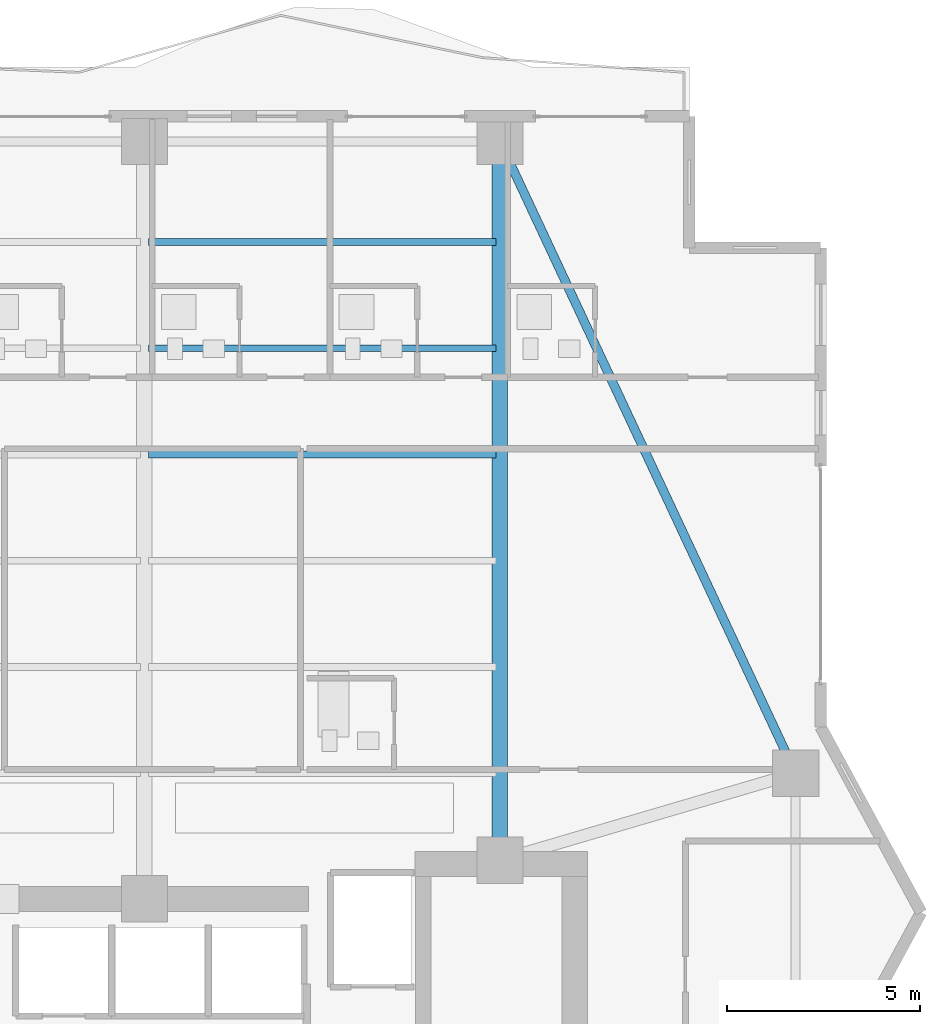
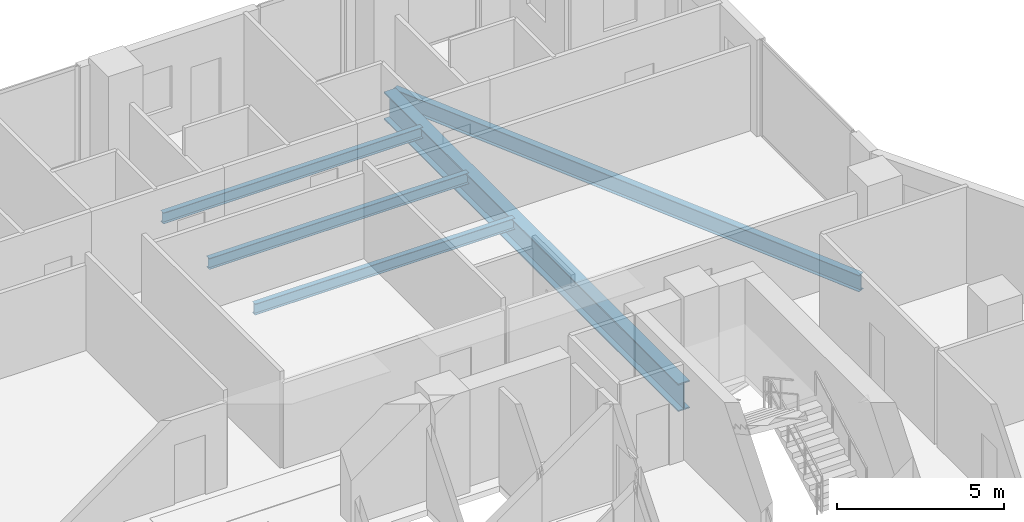
# One storey, part 20 of 33: 5 beams.
"""IFC4 building model written with IfcOpenShell, lengths in metres."""

from ifc_helpers import new_model, si_unit, direction, frame, origin, origin_2d, place, context, subcontext, project, spatial, i_section, extrude, material, material_profile, profile_set, type_object, element, save


model = new_model("IFC4")

# Units and contexts
model_context = context("Model", 3, precision=1e-05, world=origin(), true_north=direction((0.0, 1.0)))
body_context = subcontext(model_context, "Body", "Model", "MODEL_VIEW")
ifc_project = project(units=[si_unit("LENGTHUNIT", "METRE"), si_unit("AREAUNIT", "SQUARE_METRE"), si_unit("VOLUMEUNIT", "CUBIC_METRE"), si_unit("PLANEANGLEUNIT", "RADIAN"), si_unit("MASSUNIT", "GRAM", prefix="KILO")], contexts=[model_context])

# Site, building, storey
site_placement = place(None, origin())
site = spatial("IfcSite", under=ifc_project, at=site_placement, CompositionType="ELEMENT")
building_placement = place(site_placement, origin())
building = spatial("IfcBuilding", under=site, at=building_placement, Name="Zuhayl Quay Hotel", CompositionType="ELEMENT")
storey_placement = place(building_placement, frame((0.0, 0.0, 222.39990234375)))
storey = spatial("IfcBuildingStorey", under=building, at=storey_placement, Name="L56", CompositionType="ELEMENT", Elevation=222.39990234375)

# Beams
ifc_material = material(Name="Steel ASTM A992 Grade 50", Category="steel")
ifc_material_profile_1 = material_profile(ifc_material, i_section(OverallWidth=0.22802734375, OverallDepth=0.60693359375, WebThickness=0.01123046875, FlangeThickness=0.017333984375, at=origin_2d()), Name="W24X76")
ifc_profile_set_1 = profile_set([ifc_material_profile_1], Name="Steel ASTM A992 Grade 50")
beam_type_1 = type_object("IfcBeamType", Name="BM_B3_W24X76", PredefinedType="BEAM", material=ifc_profile_set_1)
beam_1_placement = place(storey_placement, frame((21.238037109375, 17.052978515625, -0.5234375), z_axis=(-0.423792164429, 0.905759461098, 0.0), x_axis=(-0.905759461098, -0.423792164429, 0.0)))
element("IfcBeam", 1, at=beam_1_placement, inside=storey, type_object=beam_type_1, Name="L56 Floor Beam RG_L56_06", PredefinedType="BEAM", context=body_context, shape_type="SweptSolid", body=[
    extrude(i_section(OverallWidth=0.22802734375, OverallDepth=0.60693359375, WebThickness=0.01123046875, FlangeThickness=0.017333984375, at=origin_2d()), origin(), (0.0, 0.0, 1.0), 17.051025390625),
])
ifc_material_profile_2 = material_profile(ifc_material, i_section(OverallWidth=0.177978515625, OverallDepth=0.406005859375, WebThickness=0.0078125, FlangeThickness=0.0126953125, at=origin_2d()), Name="W16X40")
ifc_profile_set_2 = profile_set([ifc_material_profile_2], Name="Steel ASTM A992 Grade 50")
beam_type_2 = type_object("IfcBeamType", Name="BM_J2B_W16X40", PredefinedType="JOIST", material=ifc_profile_set_2)
for number, where, z_axis, x_axis, name in (
    (2, (4.7060546875, 24.85009765625, -0.4228515625), (1.0, 0.0, 0.0), (0.0, 1.0, 0.0), "L56 Floor Beam FJ_L56_4_3"),
    (3, (4.7060546875, 27.60009765625, -0.4228515625), (1.0, 0.0, 0.0), (0.0, 1.0, 0.0), "L56 Floor Beam FJ_L56_5_3"),
    (4, (4.7060546875, 30.35009765625, -0.4228515625), (1.0, 0.0, 0.0), (0.0, 1.0, 0.0), "L56 Floor Beam FJ_L56_6_3"),
):
    element("IfcBeam", number, at=place(storey_placement, frame(where, z_axis=z_axis, x_axis=x_axis)), inside=storey, type_object=beam_type_2, Name=name, PredefinedType="JOIST", context=body_context, shape_type="SweptSolid", body=[
        extrude(i_section(OverallWidth=0.177978515625, OverallDepth=0.406005859375, WebThickness=0.0078125, FlangeThickness=0.0126953125, at=origin_2d()), origin(), (0.0, 0.0, 1.0), 8.988037109375),
    ])
ifc_material_profile_3 = material_profile(ifc_material, i_section(OverallWidth=0.40087890625, OverallDepth=1.010986328125, WebThickness=0.023681640625, FlangeThickness=0.0419921875, at=origin_2d()), Name="W40X297")
ifc_profile_set_3 = profile_set([ifc_material_profile_3], Name="Steel ASTM A992 Grade 50")
beam_type_3 = type_object("IfcBeamType", Name="BM_TG2_W40X297", PredefinedType="BEAM", material=ifc_profile_set_3)
beam_2_placement = place(storey_placement, frame((13.800048828125, 14.800048828125, -0.725341796875), z_axis=(0.0, 1.0, 0.0), x_axis=(-1.0, 0.0, 0.0)))
element("IfcBeam", 5, at=beam_2_placement, inside=storey, type_object=beam_type_3, Name="L56 Floor Beam FG_N_L56_4", PredefinedType="BEAM", context=body_context, shape_type="SweptSolid", body=[
    extrude(i_section(OverallWidth=0.40087890625, OverallDepth=1.010986328125, WebThickness=0.023681640625, FlangeThickness=0.0419921875, at=origin_2d()), origin(), (0.0, 0.0, 1.0), 17.64990234375),
])

save(model, "model.ifc")
